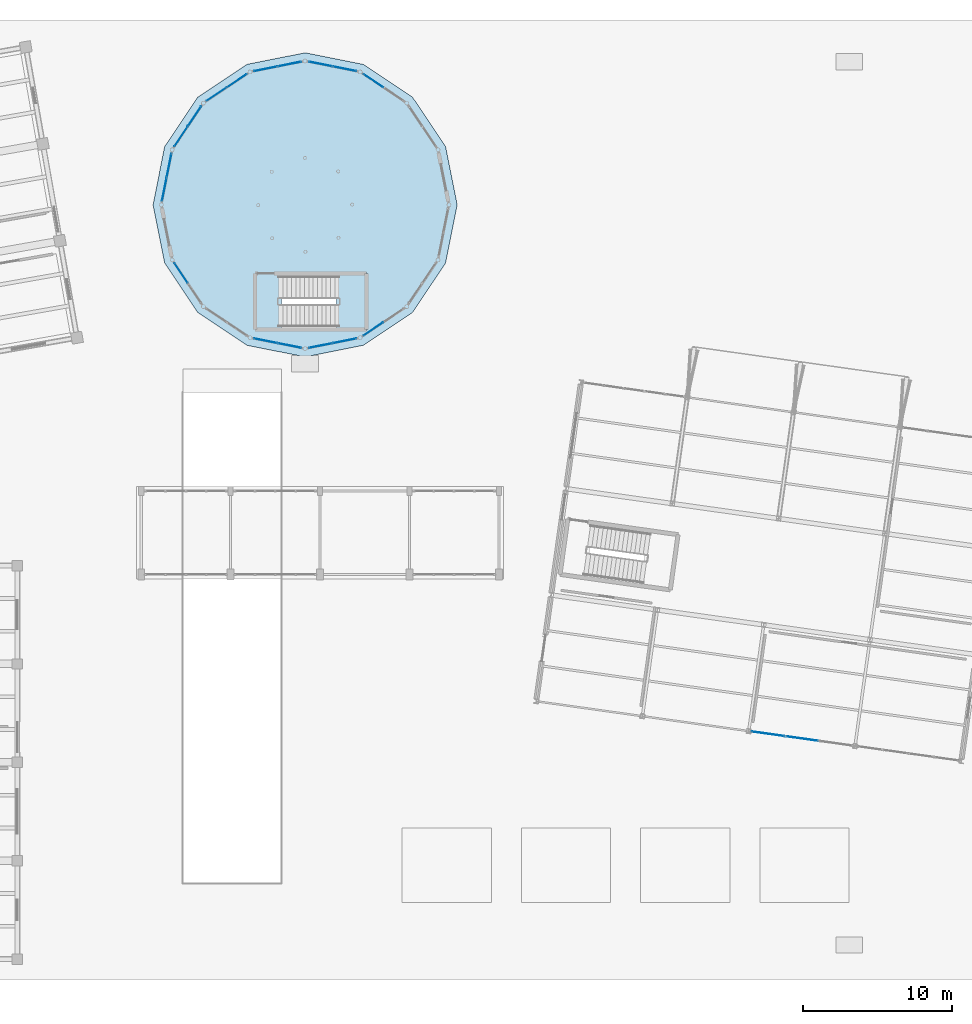
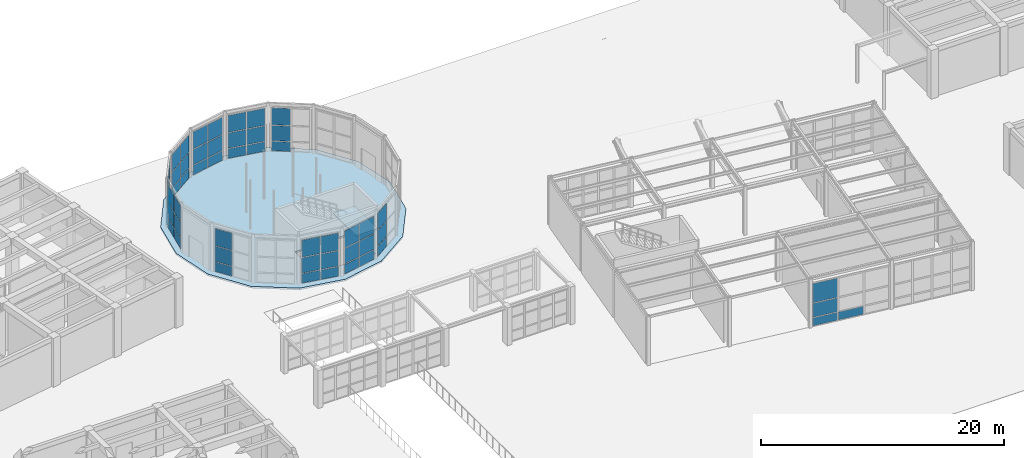
# One storey, part 33 of 57: 55 plates, 2 slabs, 12 elements without a shape of their own.
"""IFC4 building model written with IfcOpenShell, lengths in metres."""

from ifc_helpers import new_model, si_unit, direction, frame, origin, origin_2d, place, context, subcontext, project, spatial, polyline, rectangle, outline, extrude, material, layer, layer_set, type_object, element, aggregate, save


model = new_model("IFC4")

# Units and contexts
model_context = context("Model", 3, precision=1e-05, world=origin(), true_north=direction((0.0, 1.0)))
body_context = subcontext(model_context, "Body", "Model", "MODEL_VIEW")
ifc_project = project(units=[si_unit("LENGTHUNIT", "METRE"), si_unit("AREAUNIT", "SQUARE_METRE"), si_unit("VOLUMEUNIT", "CUBIC_METRE"), si_unit("PLANEANGLEUNIT", "RADIAN"), si_unit("MASSUNIT", "GRAM", prefix="KILO")], contexts=[model_context])

# Site, building, storey
site_placement = place(None, origin())
site = spatial("IfcSite", under=ifc_project, at=site_placement, CompositionType="ELEMENT")
building_placement = place(site_placement, origin())
building = spatial("IfcBuilding", under=site, at=building_placement, Name="Kharisveld Research Institute", CompositionType="ELEMENT")
storey_placement = place(building_placement, origin())
storey = spatial("IfcBuildingStorey", under=building, at=storey_placement, Name="L00", CompositionType="ELEMENT", Elevation=0.0)

# Curtain wall, plates
ifc_material_1 = material(Name="Thermally Broken Aluminium Curtain Wall", Category="aluminium")
ifc_layer_1 = layer(ifc_material_1, 0.159912109375)
ifc_layer_set_1 = layer_set([ifc_layer_1], Name="CW_SYS_06")
curtain_wall_type_1 = type_object("IfcCurtainWallType", Name="CW_SYS_06", PredefinedType="NOTDEFINED", material=ifc_layer_set_1)
curtain_wall_1_placement = place(storey_placement, origin())
curtain_wall_1 = element("IfcCurtainWall", 1, at=curtain_wall_1_placement, inside=storey, type_object=curtain_wall_type_1, Name="CW:V6:L00:CHORD02", PredefinedType="NOTDEFINED")
ifc_material_2 = material(Name="Low-E Double Glazing", Category="glass")
ifc_layer_2 = layer(ifc_material_2, 0.028076171875)
ifc_layer_set_2 = layer_set([ifc_layer_2], Name="CW_PNL_GLZ")
plate_type_1 = type_object("IfcPlateType", Name="CW_PNL_GLZ", PredefinedType="CURTAIN_PANEL", material=ifc_layer_set_2)
plate_1_placement = place(storey_placement, frame((64.078369140625, 59.123779296875, 0.06005859375), z_axis=(0.0, 0.0, 1.0), x_axis=(0.831469694616, -0.555570109828, 0.0)))
plate_1 = element("IfcPlate", 2, at=plate_1_placement, type_object=plate_type_1, Name="CW-06 panel 1.1", PredefinedType="CURTAIN_PANEL", context=body_context, shape_type="SweptSolid", body=[
    extrude(rectangle(XDim=1.570068359375, YDim=0.028076171875, at=origin_2d()), origin(), (0.0, 0.0, 1.0), 0.9599609375),
])
plate_2_placement = place(storey_placement, frame((64.078369140625, 59.123779296875, 1.080078125), z_axis=(0.0, 0.0, 1.0), x_axis=(0.831469694616, -0.555570109828, 0.0)))
plate_2 = element("IfcPlate", 3, at=plate_2_placement, type_object=plate_type_1, Name="CW-06 panel 1.2", PredefinedType="CURTAIN_PANEL", context=body_context, shape_type="SweptSolid", body=[
    extrude(rectangle(XDim=1.570068359375, YDim=0.028076171875, at=origin_2d()), origin(), (0.0, 0.0, 1.0), 1.5400390625),
])
plate_3_placement = place(storey_placement, frame((64.078369140625, 59.123779296875, 2.679931640625), z_axis=(0.0, 0.0, 1.0), x_axis=(0.831469694616, -0.555570109828, 0.0)))
plate_3 = element("IfcPlate", 4, at=plate_3_placement, type_object=plate_type_1, Name="CW-06 panel 1.3", PredefinedType="CURTAIN_PANEL", context=body_context, shape_type="SweptSolid", body=[
    extrude(rectangle(XDim=1.570068359375, YDim=0.028076171875, at=origin_2d()), origin(), (0.0, 0.0, 1.0), 1.7099609375),
])
aggregate(curtain_wall_1, [plate_1, plate_2, plate_3])

ifc_material_3 = material(Name="Thermally Broken Aluminium Curtain Wall", Category="aluminium")
ifc_layer_3 = layer(ifc_material_3, 0.159912109375)
ifc_layer_set_3 = layer_set([ifc_layer_3], Name="CW_SYS_01")
curtain_wall_type_2 = type_object("IfcCurtainWallType", Name="CW_SYS_01", PredefinedType="NOTDEFINED", material=ifc_layer_set_3)
curtain_wall_2_placement = place(storey_placement, origin())
curtain_wall_2 = element("IfcCurtainWall", 5, at=curtain_wall_2_placement, inside=storey, type_object=curtain_wall_type_2, Name="CW:V6:L00:CHORD03", PredefinedType="NOTDEFINED")
plate_4_placement = place(storey_placement, frame((60.544677734375, 60.2421875, 0.06005859375), z_axis=(0.0, 0.0, 1.0), x_axis=(0.980785199106, -0.195090730724, 0.0)))
plate_4 = element("IfcPlate", 6, at=plate_4_placement, type_object=plate_type_1, Name="CW-01 panel 1.1", PredefinedType="CURTAIN_PANEL", context=body_context, shape_type="SweptSolid", body=[
    extrude(rectangle(XDim=1.570068359375, YDim=0.028076171875, at=origin_2d()), origin(), (0.0, 0.0, 1.0), 0.9599609375),
])
plate_5_placement = place(storey_placement, frame((60.544677734375, 60.2421875, 1.080078125), z_axis=(0.0, 0.0, 1.0), x_axis=(0.980785199106, -0.195090730724, 0.0)))
plate_5 = element("IfcPlate", 7, at=plate_5_placement, type_object=plate_type_1, Name="CW-01 panel 1.2", PredefinedType="CURTAIN_PANEL", context=body_context, shape_type="SweptSolid", body=[
    extrude(rectangle(XDim=1.570068359375, YDim=0.028076171875, at=origin_2d()), origin(), (0.0, 0.0, 1.0), 1.5400390625),
])
plate_6_placement = place(storey_placement, frame((60.544677734375, 60.2421875, 2.679931640625), z_axis=(0.0, 0.0, 1.0), x_axis=(0.980785199106, -0.195090730724, 0.0)))
plate_6 = element("IfcPlate", 8, at=plate_6_placement, type_object=plate_type_1, Name="CW-01 panel 1.3", PredefinedType="CURTAIN_PANEL", context=body_context, shape_type="SweptSolid", body=[
    extrude(rectangle(XDim=1.570068359375, YDim=0.028076171875, at=origin_2d()), origin(), (0.0, 0.0, 1.0), 1.7099609375),
])
plate_7_placement = place(storey_placement, frame((62.148193359375, 59.92333984375, 0.06005859375), z_axis=(0.0, 0.0, 1.0), x_axis=(0.980785199106, -0.195090730724, 0.0)))
plate_7 = element("IfcPlate", 9, at=plate_7_placement, type_object=plate_type_1, Name="CW-01 panel 2.1", PredefinedType="CURTAIN_PANEL", context=body_context, shape_type="SweptSolid", body=[
    extrude(rectangle(XDim=1.570068359375, YDim=0.028076171875, at=origin_2d()), origin(), (0.0, 0.0, 1.0), 0.9599609375),
])
plate_8_placement = place(storey_placement, frame((62.148193359375, 59.92333984375, 1.080078125), z_axis=(0.0, 0.0, 1.0), x_axis=(0.980785199106, -0.195090730724, 0.0)))
plate_8 = element("IfcPlate", 10, at=plate_8_placement, type_object=plate_type_1, Name="CW-01 panel 2.2", PredefinedType="CURTAIN_PANEL", context=body_context, shape_type="SweptSolid", body=[
    extrude(rectangle(XDim=1.570068359375, YDim=0.028076171875, at=origin_2d()), origin(), (0.0, 0.0, 1.0), 1.5400390625),
])
plate_9_placement = place(storey_placement, frame((62.148193359375, 59.92333984375, 2.679931640625), z_axis=(0.0, 0.0, 1.0), x_axis=(0.980785199106, -0.195090730724, 0.0)))
plate_9 = element("IfcPlate", 11, at=plate_9_placement, type_object=plate_type_1, Name="CW-01 panel 2.3", PredefinedType="CURTAIN_PANEL", context=body_context, shape_type="SweptSolid", body=[
    extrude(rectangle(XDim=1.570068359375, YDim=0.028076171875, at=origin_2d()), origin(), (0.0, 0.0, 1.0), 1.7099609375),
])
aggregate(curtain_wall_2, [plate_4, plate_5, plate_6, plate_7, plate_8, plate_9])

ifc_material_4 = material(Name="Thermally Broken Aluminium Curtain Wall", Category="aluminium")
ifc_layer_4 = layer(ifc_material_4, 0.159912109375)
ifc_layer_set_4 = layer_set([ifc_layer_4], Name="CW_SYS_02")
curtain_wall_type_3 = type_object("IfcCurtainWallType", Name="CW_SYS_02", PredefinedType="NOTDEFINED", material=ifc_layer_set_4)
curtain_wall_3_placement = place(storey_placement, origin())
curtain_wall_3 = element("IfcCurtainWall", 12, at=curtain_wall_3_placement, inside=storey, type_object=curtain_wall_type_3, Name="CW:V6:L00:CHORD04", PredefinedType="NOTDEFINED")
plate_10_placement = place(storey_placement, frame((56.851806640625, 59.92333984375, 0.06005859375), z_axis=(0.0, 0.0, 1.0), x_axis=(0.980785199106, 0.195090730724, 0.0)))
plate_10 = element("IfcPlate", 13, at=plate_10_placement, type_object=plate_type_1, Name="CW-02 panel 1.1", PredefinedType="CURTAIN_PANEL", context=body_context, shape_type="SweptSolid", body=[
    extrude(rectangle(XDim=1.570068359375, YDim=0.028076171875, at=origin_2d()), origin(), (0.0, 0.0, 1.0), 0.9599609375),
])
plate_11_placement = place(storey_placement, frame((56.851806640625, 59.92333984375, 1.080078125), z_axis=(0.0, 0.0, 1.0), x_axis=(0.980785199106, 0.195090730724, 0.0)))
plate_11 = element("IfcPlate", 14, at=plate_11_placement, type_object=plate_type_1, Name="CW-02 panel 1.2", PredefinedType="CURTAIN_PANEL", context=body_context, shape_type="SweptSolid", body=[
    extrude(rectangle(XDim=1.570068359375, YDim=0.028076171875, at=origin_2d()), origin(), (0.0, 0.0, 1.0), 1.5400390625),
])
plate_12_placement = place(storey_placement, frame((56.851806640625, 59.92333984375, 2.679931640625), z_axis=(0.0, 0.0, 1.0), x_axis=(0.980785199106, 0.195090730724, 0.0)))
plate_12 = element("IfcPlate", 15, at=plate_12_placement, type_object=plate_type_1, Name="CW-02 panel 1.3", PredefinedType="CURTAIN_PANEL", context=body_context, shape_type="SweptSolid", body=[
    extrude(rectangle(XDim=1.570068359375, YDim=0.028076171875, at=origin_2d()), origin(), (0.0, 0.0, 1.0), 1.7099609375),
])
plate_13_placement = place(storey_placement, frame((58.455322265625, 60.2421875, 0.06005859375), z_axis=(0.0, 0.0, 1.0), x_axis=(0.980785199106, 0.195090730724, 0.0)))
plate_13 = element("IfcPlate", 16, at=plate_13_placement, type_object=plate_type_1, Name="CW-02 panel 2.1", PredefinedType="CURTAIN_PANEL", context=body_context, shape_type="SweptSolid", body=[
    extrude(rectangle(XDim=1.570068359375, YDim=0.028076171875, at=origin_2d()), origin(), (0.0, 0.0, 1.0), 0.9599609375),
])
plate_14_placement = place(storey_placement, frame((58.455322265625, 60.2421875, 1.080078125), z_axis=(0.0, 0.0, 1.0), x_axis=(0.980785199106, 0.195090730724, 0.0)))
plate_14 = element("IfcPlate", 17, at=plate_14_placement, type_object=plate_type_1, Name="CW-02 panel 2.2", PredefinedType="CURTAIN_PANEL", context=body_context, shape_type="SweptSolid", body=[
    extrude(rectangle(XDim=1.570068359375, YDim=0.028076171875, at=origin_2d()), origin(), (0.0, 0.0, 1.0), 1.5400390625),
])
plate_15_placement = place(storey_placement, frame((58.455322265625, 60.2421875, 2.679931640625), z_axis=(0.0, 0.0, 1.0), x_axis=(0.980785199106, 0.195090730724, 0.0)))
plate_15 = element("IfcPlate", 18, at=plate_15_placement, type_object=plate_type_1, Name="CW-02 panel 2.3", PredefinedType="CURTAIN_PANEL", context=body_context, shape_type="SweptSolid", body=[
    extrude(rectangle(XDim=1.570068359375, YDim=0.028076171875, at=origin_2d()), origin(), (0.0, 0.0, 1.0), 1.7099609375),
])
aggregate(curtain_wall_3, [plate_10, plate_11, plate_12, plate_13, plate_14, plate_15])

ifc_material_5 = material(Name="Thermally Broken Aluminium Curtain Wall", Category="aluminium")
ifc_layer_5 = layer(ifc_material_5, 0.159912109375)
ifc_layer_set_5 = layer_set([ifc_layer_5], Name="CW_SYS_03")
curtain_wall_type_4 = type_object("IfcCurtainWallType", Name="CW_SYS_03", PredefinedType="NOTDEFINED", material=ifc_layer_set_5)
curtain_wall_4_placement = place(storey_placement, origin())
curtain_wall_4 = element("IfcCurtainWall", 19, at=curtain_wall_4_placement, inside=storey, type_object=curtain_wall_type_4, Name="CW:V6:L00:CHORD05", PredefinedType="NOTDEFINED")
plate_16_placement = place(storey_placement, frame((53.56201171875, 58.21533203125, 0.06005859375), z_axis=(0.0, 0.0, 1.0), x_axis=(0.831469694616, 0.555570109828, 0.0)))
plate_16 = element("IfcPlate", 20, at=plate_16_placement, type_object=plate_type_1, Name="CW-03 panel 1.1", PredefinedType="CURTAIN_PANEL", context=body_context, shape_type="SweptSolid", body=[
    extrude(rectangle(XDim=1.570068359375, YDim=0.028076171875, at=origin_2d()), origin(), (0.0, 0.0, 1.0), 0.9599609375),
])
plate_17_placement = place(storey_placement, frame((53.56201171875, 58.21533203125, 1.080078125), z_axis=(0.0, 0.0, 1.0), x_axis=(0.831469694616, 0.555570109828, 0.0)))
plate_17 = element("IfcPlate", 21, at=plate_17_placement, type_object=plate_type_1, Name="CW-03 panel 1.2", PredefinedType="CURTAIN_PANEL", context=body_context, shape_type="SweptSolid", body=[
    extrude(rectangle(XDim=1.570068359375, YDim=0.028076171875, at=origin_2d()), origin(), (0.0, 0.0, 1.0), 1.5400390625),
])
plate_18_placement = place(storey_placement, frame((53.56201171875, 58.21533203125, 2.679931640625), z_axis=(0.0, 0.0, 1.0), x_axis=(0.831469694616, 0.555570109828, 0.0)))
plate_18 = element("IfcPlate", 22, at=plate_18_placement, type_object=plate_type_1, Name="CW-03 panel 1.3", PredefinedType="CURTAIN_PANEL", context=body_context, shape_type="SweptSolid", body=[
    extrude(rectangle(XDim=1.570068359375, YDim=0.028076171875, at=origin_2d()), origin(), (0.0, 0.0, 1.0), 1.7099609375),
])
plate_19_placement = place(storey_placement, frame((54.921630859375, 59.123779296875, 0.06005859375), z_axis=(0.0, 0.0, 1.0), x_axis=(0.831469694616, 0.555570109828, 0.0)))
plate_19 = element("IfcPlate", 23, at=plate_19_placement, type_object=plate_type_1, Name="CW-03 panel 2.1", PredefinedType="CURTAIN_PANEL", context=body_context, shape_type="SweptSolid", body=[
    extrude(rectangle(XDim=1.570068359375, YDim=0.028076171875, at=origin_2d()), origin(), (0.0, 0.0, 1.0), 0.9599609375),
])
plate_20_placement = place(storey_placement, frame((54.921630859375, 59.123779296875, 1.080078125), z_axis=(0.0, 0.0, 1.0), x_axis=(0.831469694616, 0.555570109828, 0.0)))
plate_20 = element("IfcPlate", 24, at=plate_20_placement, type_object=plate_type_1, Name="CW-03 panel 2.2", PredefinedType="CURTAIN_PANEL", context=body_context, shape_type="SweptSolid", body=[
    extrude(rectangle(XDim=1.570068359375, YDim=0.028076171875, at=origin_2d()), origin(), (0.0, 0.0, 1.0), 1.5400390625),
])
plate_21_placement = place(storey_placement, frame((54.921630859375, 59.123779296875, 2.679931640625), z_axis=(0.0, 0.0, 1.0), x_axis=(0.831469694616, 0.555570109828, 0.0)))
plate_21 = element("IfcPlate", 25, at=plate_21_placement, type_object=plate_type_1, Name="CW-03 panel 2.3", PredefinedType="CURTAIN_PANEL", context=body_context, shape_type="SweptSolid", body=[
    extrude(rectangle(XDim=1.570068359375, YDim=0.028076171875, at=origin_2d()), origin(), (0.0, 0.0, 1.0), 1.7099609375),
])
aggregate(curtain_wall_4, [plate_16, plate_17, plate_18, plate_19, plate_20, plate_21])

ifc_material_6 = material(Name="Thermally Broken Aluminium Curtain Wall", Category="aluminium")
ifc_layer_6 = layer(ifc_material_6, 0.159912109375)
ifc_layer_set_6 = layer_set([ifc_layer_6], Name="CW_SYS_04")
curtain_wall_type_5 = type_object("IfcCurtainWallType", Name="CW_SYS_04", PredefinedType="NOTDEFINED", material=ifc_layer_set_6)
curtain_wall_5_placement = place(storey_placement, origin())
curtain_wall_5 = element("IfcCurtainWall", 26, at=curtain_wall_5_placement, inside=storey, type_object=curtain_wall_type_5, Name="CW:V6:L00:CHORD06", PredefinedType="NOTDEFINED")
plate_22_placement = place(storey_placement, frame((51.17626953125, 55.37841796875, 0.06005859375), z_axis=(0.0, 0.0, 1.0), x_axis=(0.555570109828, 0.831469694616, 0.0)))
plate_22 = element("IfcPlate", 27, at=plate_22_placement, type_object=plate_type_1, Name="CW-04 panel 1.1", PredefinedType="CURTAIN_PANEL", context=body_context, shape_type="SweptSolid", body=[
    extrude(rectangle(XDim=1.570068359375, YDim=0.028076171875, at=origin_2d()), origin(), (0.0, 0.0, 1.0), 0.9599609375),
])
plate_23_placement = place(storey_placement, frame((51.17626953125, 55.37841796875, 1.080078125), z_axis=(0.0, 0.0, 1.0), x_axis=(0.555570109828, 0.831469694616, 0.0)))
plate_23 = element("IfcPlate", 28, at=plate_23_placement, type_object=plate_type_1, Name="CW-04 panel 1.2", PredefinedType="CURTAIN_PANEL", context=body_context, shape_type="SweptSolid", body=[
    extrude(rectangle(XDim=1.570068359375, YDim=0.028076171875, at=origin_2d()), origin(), (0.0, 0.0, 1.0), 1.5400390625),
])
plate_24_placement = place(storey_placement, frame((51.17626953125, 55.37841796875, 2.679931640625), z_axis=(0.0, 0.0, 1.0), x_axis=(0.555570109828, 0.831469694616, 0.0)))
plate_24 = element("IfcPlate", 29, at=plate_24_placement, type_object=plate_type_1, Name="CW-04 panel 1.3", PredefinedType="CURTAIN_PANEL", context=body_context, shape_type="SweptSolid", body=[
    extrude(rectangle(XDim=1.570068359375, YDim=0.028076171875, at=origin_2d()), origin(), (0.0, 0.0, 1.0), 1.7099609375),
])
plate_25_placement = place(storey_placement, frame((52.084716796875, 56.738037109375, 0.06005859375), z_axis=(0.0, 0.0, 1.0), x_axis=(0.555570109828, 0.831469694616, 0.0)))
plate_25 = element("IfcPlate", 30, at=plate_25_placement, type_object=plate_type_1, Name="CW-04 panel 2.1", PredefinedType="CURTAIN_PANEL", context=body_context, shape_type="SweptSolid", body=[
    extrude(rectangle(XDim=1.570068359375, YDim=0.028076171875, at=origin_2d()), origin(), (0.0, 0.0, 1.0), 0.9599609375),
])
plate_26_placement = place(storey_placement, frame((52.084716796875, 56.738037109375, 1.080078125), z_axis=(0.0, 0.0, 1.0), x_axis=(0.555570109828, 0.831469694616, 0.0)))
plate_26 = element("IfcPlate", 31, at=plate_26_placement, type_object=plate_type_1, Name="CW-04 panel 2.2", PredefinedType="CURTAIN_PANEL", context=body_context, shape_type="SweptSolid", body=[
    extrude(rectangle(XDim=1.570068359375, YDim=0.028076171875, at=origin_2d()), origin(), (0.0, 0.0, 1.0), 1.5400390625),
])
plate_27_placement = place(storey_placement, frame((52.084716796875, 56.738037109375, 2.679931640625), z_axis=(0.0, 0.0, 1.0), x_axis=(0.555570109828, 0.831469694616, 0.0)))
plate_27 = element("IfcPlate", 32, at=plate_27_placement, type_object=plate_type_1, Name="CW-04 panel 2.3", PredefinedType="CURTAIN_PANEL", context=body_context, shape_type="SweptSolid", body=[
    extrude(rectangle(XDim=1.570068359375, YDim=0.028076171875, at=origin_2d()), origin(), (0.0, 0.0, 1.0), 1.7099609375),
])
aggregate(curtain_wall_5, [plate_22, plate_23, plate_24, plate_25, plate_26, plate_27])

ifc_material_7 = material(Name="Thermally Broken Aluminium Curtain Wall", Category="aluminium")
ifc_layer_7 = layer(ifc_material_7, 0.159912109375)
ifc_layer_set_7 = layer_set([ifc_layer_7], Name="CW_SYS_05")
curtain_wall_type_6 = type_object("IfcCurtainWallType", Name="CW_SYS_05", PredefinedType="NOTDEFINED", material=ifc_layer_set_7)
curtain_wall_6_placement = place(storey_placement, origin())
curtain_wall_6 = element("IfcCurtainWall", 33, at=curtain_wall_6_placement, inside=storey, type_object=curtain_wall_type_6, Name="CW:V6:L00:CHORD07", PredefinedType="NOTDEFINED")
plate_28_placement = place(storey_placement, frame((50.057861328125, 51.844482421875, 0.06005859375), z_axis=(0.0, 0.0, 1.0), x_axis=(0.195090730724, 0.980785199106, 0.0)))
plate_28 = element("IfcPlate", 34, at=plate_28_placement, type_object=plate_type_1, Name="CW-05 panel 1.1", PredefinedType="CURTAIN_PANEL", context=body_context, shape_type="SweptSolid", body=[
    extrude(rectangle(XDim=1.570068359375, YDim=0.028076171875, at=origin_2d()), origin(), (0.0, 0.0, 1.0), 0.9599609375),
])
plate_29_placement = place(storey_placement, frame((50.057861328125, 51.844482421875, 1.080078125), z_axis=(0.0, 0.0, 1.0), x_axis=(0.195090730724, 0.980785199106, 0.0)))
plate_29 = element("IfcPlate", 35, at=plate_29_placement, type_object=plate_type_1, Name="CW-05 panel 1.2", PredefinedType="CURTAIN_PANEL", context=body_context, shape_type="SweptSolid", body=[
    extrude(rectangle(XDim=1.570068359375, YDim=0.028076171875, at=origin_2d()), origin(), (0.0, 0.0, 1.0), 1.5400390625),
])
plate_30_placement = place(storey_placement, frame((50.057861328125, 51.844482421875, 2.679931640625), z_axis=(0.0, 0.0, 1.0), x_axis=(0.195090730724, 0.980785199106, 0.0)))
plate_30 = element("IfcPlate", 36, at=plate_30_placement, type_object=plate_type_1, Name="CW-05 panel 1.3", PredefinedType="CURTAIN_PANEL", context=body_context, shape_type="SweptSolid", body=[
    extrude(rectangle(XDim=1.570068359375, YDim=0.028076171875, at=origin_2d()), origin(), (0.0, 0.0, 1.0), 1.7099609375),
])
plate_31_placement = place(storey_placement, frame((50.376708984375, 53.4482421875, 0.06005859375), z_axis=(0.0, 0.0, 1.0), x_axis=(0.195090730724, 0.980785199106, 0.0)))
plate_31 = element("IfcPlate", 37, at=plate_31_placement, type_object=plate_type_1, Name="CW-05 panel 2.1", PredefinedType="CURTAIN_PANEL", context=body_context, shape_type="SweptSolid", body=[
    extrude(rectangle(XDim=1.570068359375, YDim=0.028076171875, at=origin_2d()), origin(), (0.0, 0.0, 1.0), 0.9599609375),
])
plate_32_placement = place(storey_placement, frame((50.376708984375, 53.4482421875, 1.080078125), z_axis=(0.0, 0.0, 1.0), x_axis=(0.195090730724, 0.980785199106, 0.0)))
plate_32 = element("IfcPlate", 38, at=plate_32_placement, type_object=plate_type_1, Name="CW-05 panel 2.2", PredefinedType="CURTAIN_PANEL", context=body_context, shape_type="SweptSolid", body=[
    extrude(rectangle(XDim=1.570068359375, YDim=0.028076171875, at=origin_2d()), origin(), (0.0, 0.0, 1.0), 1.5400390625),
])
plate_33_placement = place(storey_placement, frame((50.376708984375, 53.4482421875, 2.679931640625), z_axis=(0.0, 0.0, 1.0), x_axis=(0.195090730724, 0.980785199106, 0.0)))
plate_33 = element("IfcPlate", 39, at=plate_33_placement, type_object=plate_type_1, Name="CW-05 panel 2.3", PredefinedType="CURTAIN_PANEL", context=body_context, shape_type="SweptSolid", body=[
    extrude(rectangle(XDim=1.570068359375, YDim=0.028076171875, at=origin_2d()), origin(), (0.0, 0.0, 1.0), 1.7099609375),
])
aggregate(curtain_wall_6, [plate_28, plate_29, plate_30, plate_31, plate_32, plate_33])

curtain_wall_7_placement = place(storey_placement, origin())
curtain_wall_7 = element("IfcCurtainWall", 40, at=curtain_wall_7_placement, inside=storey, type_object=curtain_wall_type_1, Name="CW:V6:L00:CHORD09", PredefinedType="NOTDEFINED")
plate_34_placement = place(storey_placement, frame((51.17626953125, 46.221435546875, 0.06005859375), z_axis=(0.0, 0.0, 1.0), x_axis=(-0.555570109828, 0.831469694616, 0.0)))
plate_34 = element("IfcPlate", 41, at=plate_34_placement, type_object=plate_type_1, Name="CW-06 panel 2.1", PredefinedType="CURTAIN_PANEL", context=body_context, shape_type="SweptSolid", body=[
    extrude(rectangle(XDim=1.570068359375, YDim=0.028076171875, at=origin_2d()), origin(), (0.0, 0.0, 1.0), 0.9599609375),
])
plate_35_placement = place(storey_placement, frame((51.17626953125, 46.221435546875, 1.080078125), z_axis=(0.0, 0.0, 1.0), x_axis=(-0.555570109828, 0.831469694616, 0.0)))
plate_35 = element("IfcPlate", 42, at=plate_35_placement, type_object=plate_type_1, Name="CW-06 panel 2.2", PredefinedType="CURTAIN_PANEL", context=body_context, shape_type="SweptSolid", body=[
    extrude(rectangle(XDim=1.570068359375, YDim=0.028076171875, at=origin_2d()), origin(), (0.0, 0.0, 1.0), 1.5400390625),
])
plate_36_placement = place(storey_placement, frame((51.17626953125, 46.221435546875, 2.679931640625), z_axis=(0.0, 0.0, 1.0), x_axis=(-0.555570109828, 0.831469694616, 0.0)))
plate_36 = element("IfcPlate", 43, at=plate_36_placement, type_object=plate_type_1, Name="CW-06 panel 2.3", PredefinedType="CURTAIN_PANEL", context=body_context, shape_type="SweptSolid", body=[
    extrude(rectangle(XDim=1.570068359375, YDim=0.028076171875, at=origin_2d()), origin(), (0.0, 0.0, 1.0), 1.7099609375),
])
aggregate(curtain_wall_7, [plate_34, plate_35, plate_36])

curtain_wall_8_placement = place(storey_placement, origin())
curtain_wall_8 = element("IfcCurtainWall", 44, at=curtain_wall_8_placement, inside=storey, type_object=curtain_wall_type_3, Name="CW:V6:L00:CHORD11", PredefinedType="NOTDEFINED")
plate_37_placement = place(storey_placement, frame((58.455322265625, 41.357666015625, 0.06005859375), z_axis=(0.0, 0.0, 1.0), x_axis=(-0.980785199106, 0.195090730724, 0.0)))
plate_37 = element("IfcPlate", 45, at=plate_37_placement, type_object=plate_type_1, Name="CW-02 panel 1.1", PredefinedType="CURTAIN_PANEL", context=body_context, shape_type="SweptSolid", body=[
    extrude(rectangle(XDim=1.570068359375, YDim=0.028076171875, at=origin_2d()), origin(), (0.0, 0.0, 1.0), 0.9599609375),
])
plate_38_placement = place(storey_placement, frame((58.455322265625, 41.357666015625, 1.080078125), z_axis=(0.0, 0.0, 1.0), x_axis=(-0.980785199106, 0.195090730724, 0.0)))
plate_38 = element("IfcPlate", 46, at=plate_38_placement, type_object=plate_type_1, Name="CW-02 panel 1.2", PredefinedType="CURTAIN_PANEL", context=body_context, shape_type="SweptSolid", body=[
    extrude(rectangle(XDim=1.570068359375, YDim=0.028076171875, at=origin_2d()), origin(), (0.0, 0.0, 1.0), 1.5400390625),
])
plate_39_placement = place(storey_placement, frame((58.455322265625, 41.357666015625, 2.679931640625), z_axis=(0.0, 0.0, 1.0), x_axis=(-0.980785199106, 0.195090730724, 0.0)))
plate_39 = element("IfcPlate", 47, at=plate_39_placement, type_object=plate_type_1, Name="CW-02 panel 1.3", PredefinedType="CURTAIN_PANEL", context=body_context, shape_type="SweptSolid", body=[
    extrude(rectangle(XDim=1.570068359375, YDim=0.028076171875, at=origin_2d()), origin(), (0.0, 0.0, 1.0), 1.7099609375),
])
plate_40_placement = place(storey_placement, frame((56.851806640625, 41.6767578125, 0.06005859375), z_axis=(0.0, 0.0, 1.0), x_axis=(-0.980785199106, 0.195090730724, 0.0)))
plate_40 = element("IfcPlate", 48, at=plate_40_placement, type_object=plate_type_1, Name="CW-02 panel 2.1", PredefinedType="CURTAIN_PANEL", context=body_context, shape_type="SweptSolid", body=[
    extrude(rectangle(XDim=1.570068359375, YDim=0.028076171875, at=origin_2d()), origin(), (0.0, 0.0, 1.0), 0.9599609375),
])
plate_41_placement = place(storey_placement, frame((56.851806640625, 41.6767578125, 1.080078125), z_axis=(0.0, 0.0, 1.0), x_axis=(-0.980785199106, 0.195090730724, 0.0)))
plate_41 = element("IfcPlate", 49, at=plate_41_placement, type_object=plate_type_1, Name="CW-02 panel 2.2", PredefinedType="CURTAIN_PANEL", context=body_context, shape_type="SweptSolid", body=[
    extrude(rectangle(XDim=1.570068359375, YDim=0.028076171875, at=origin_2d()), origin(), (0.0, 0.0, 1.0), 1.5400390625),
])
plate_42_placement = place(storey_placement, frame((56.851806640625, 41.6767578125, 2.679931640625), z_axis=(0.0, 0.0, 1.0), x_axis=(-0.980785199106, 0.195090730724, 0.0)))
plate_42 = element("IfcPlate", 50, at=plate_42_placement, type_object=plate_type_1, Name="CW-02 panel 2.3", PredefinedType="CURTAIN_PANEL", context=body_context, shape_type="SweptSolid", body=[
    extrude(rectangle(XDim=1.570068359375, YDim=0.028076171875, at=origin_2d()), origin(), (0.0, 0.0, 1.0), 1.7099609375),
])
aggregate(curtain_wall_8, [plate_37, plate_38, plate_39, plate_40, plate_41, plate_42])

curtain_wall_9_placement = place(storey_placement, origin())
curtain_wall_9 = element("IfcCurtainWall", 51, at=curtain_wall_9_placement, inside=storey, type_object=curtain_wall_type_4, Name="CW:V6:L00:CHORD12", PredefinedType="NOTDEFINED")
plate_43_placement = place(storey_placement, frame((62.148193359375, 41.6767578125, 0.06005859375), z_axis=(0.0, 0.0, 1.0), x_axis=(-0.980785199106, -0.195090730724, 0.0)))
plate_43 = element("IfcPlate", 52, at=plate_43_placement, type_object=plate_type_1, Name="CW-03 panel 1.1", PredefinedType="CURTAIN_PANEL", context=body_context, shape_type="SweptSolid", body=[
    extrude(rectangle(XDim=1.570068359375, YDim=0.028076171875, at=origin_2d()), origin(), (0.0, 0.0, 1.0), 0.9599609375),
])
plate_44_placement = place(storey_placement, frame((62.148193359375, 41.6767578125, 1.080078125), z_axis=(0.0, 0.0, 1.0), x_axis=(-0.980785199106, -0.195090730724, 0.0)))
plate_44 = element("IfcPlate", 53, at=plate_44_placement, type_object=plate_type_1, Name="CW-03 panel 1.2", PredefinedType="CURTAIN_PANEL", context=body_context, shape_type="SweptSolid", body=[
    extrude(rectangle(XDim=1.570068359375, YDim=0.028076171875, at=origin_2d()), origin(), (0.0, 0.0, 1.0), 1.5400390625),
])
plate_45_placement = place(storey_placement, frame((62.148193359375, 41.6767578125, 2.679931640625), z_axis=(0.0, 0.0, 1.0), x_axis=(-0.980785199106, -0.195090730724, 0.0)))
plate_45 = element("IfcPlate", 54, at=plate_45_placement, type_object=plate_type_1, Name="CW-03 panel 1.3", PredefinedType="CURTAIN_PANEL", context=body_context, shape_type="SweptSolid", body=[
    extrude(rectangle(XDim=1.570068359375, YDim=0.028076171875, at=origin_2d()), origin(), (0.0, 0.0, 1.0), 1.7099609375),
])
plate_46_placement = place(storey_placement, frame((60.544677734375, 41.357666015625, 0.06005859375), z_axis=(0.0, 0.0, 1.0), x_axis=(-0.980785199106, -0.195090730724, 0.0)))
plate_46 = element("IfcPlate", 55, at=plate_46_placement, type_object=plate_type_1, Name="CW-03 panel 2.1", PredefinedType="CURTAIN_PANEL", context=body_context, shape_type="SweptSolid", body=[
    extrude(rectangle(XDim=1.570068359375, YDim=0.028076171875, at=origin_2d()), origin(), (0.0, 0.0, 1.0), 0.9599609375),
])
plate_47_placement = place(storey_placement, frame((60.544677734375, 41.357666015625, 1.080078125), z_axis=(0.0, 0.0, 1.0), x_axis=(-0.980785199106, -0.195090730724, 0.0)))
plate_47 = element("IfcPlate", 56, at=plate_47_placement, type_object=plate_type_1, Name="CW-03 panel 2.2", PredefinedType="CURTAIN_PANEL", context=body_context, shape_type="SweptSolid", body=[
    extrude(rectangle(XDim=1.570068359375, YDim=0.028076171875, at=origin_2d()), origin(), (0.0, 0.0, 1.0), 1.5400390625),
])
plate_48_placement = place(storey_placement, frame((60.544677734375, 41.357666015625, 2.679931640625), z_axis=(0.0, 0.0, 1.0), x_axis=(-0.980785199106, -0.195090730724, 0.0)))
plate_48 = element("IfcPlate", 57, at=plate_48_placement, type_object=plate_type_1, Name="CW-03 panel 2.3", PredefinedType="CURTAIN_PANEL", context=body_context, shape_type="SweptSolid", body=[
    extrude(rectangle(XDim=1.570068359375, YDim=0.028076171875, at=origin_2d()), origin(), (0.0, 0.0, 1.0), 1.7099609375),
])
aggregate(curtain_wall_9, [plate_43, plate_44, plate_45, plate_46, plate_47, plate_48])

curtain_wall_10_placement = place(storey_placement, origin())
curtain_wall_10 = element("IfcCurtainWall", 58, at=curtain_wall_10_placement, inside=storey, type_object=curtain_wall_type_5, Name="CW:V6:L00:CHORD13", PredefinedType="NOTDEFINED")
plate_49_placement = place(storey_placement, frame((64.078369140625, 42.476318359375, 0.06005859375), z_axis=(0.0, 0.0, 1.0), x_axis=(-0.831469694616, -0.555570109828, 0.0)))
plate_49 = element("IfcPlate", 59, at=plate_49_placement, type_object=plate_type_1, Name="CW-04 panel 2.1", PredefinedType="CURTAIN_PANEL", context=body_context, shape_type="SweptSolid", body=[
    extrude(rectangle(XDim=1.570068359375, YDim=0.028076171875, at=origin_2d()), origin(), (0.0, 0.0, 1.0), 0.9599609375),
])
plate_50_placement = place(storey_placement, frame((64.078369140625, 42.476318359375, 1.080078125), z_axis=(0.0, 0.0, 1.0), x_axis=(-0.831469694616, -0.555570109828, 0.0)))
plate_50 = element("IfcPlate", 60, at=plate_50_placement, type_object=plate_type_1, Name="CW-04 panel 2.2", PredefinedType="CURTAIN_PANEL", context=body_context, shape_type="SweptSolid", body=[
    extrude(rectangle(XDim=1.570068359375, YDim=0.028076171875, at=origin_2d()), origin(), (0.0, 0.0, 1.0), 1.5400390625),
])
plate_51_placement = place(storey_placement, frame((64.078369140625, 42.476318359375, 2.679931640625), z_axis=(0.0, 0.0, 1.0), x_axis=(-0.831469694616, -0.555570109828, 0.0)))
plate_51 = element("IfcPlate", 61, at=plate_51_placement, type_object=plate_type_1, Name="CW-04 panel 2.3", PredefinedType="CURTAIN_PANEL", context=body_context, shape_type="SweptSolid", body=[
    extrude(rectangle(XDim=1.570068359375, YDim=0.028076171875, at=origin_2d()), origin(), (0.0, 0.0, 1.0), 1.7099609375),
])
aggregate(curtain_wall_10, [plate_49, plate_50, plate_51])

curtain_wall_11_placement = place(storey_placement, origin())
curtain_wall_11 = element("IfcCurtainWall", 62, at=curtain_wall_11_placement, inside=storey, type_object=curtain_wall_type_1, Name="CW:V4:L00:S3", PredefinedType="NOTDEFINED")
ifc_material_8 = material(Name="Insulated Spandrel Glazing", Category="glass")
ifc_layer_8 = layer(ifc_material_8, 0.035888671875)
ifc_layer_set_8 = layer_set([ifc_layer_8], Name="CW_PNL_SPD")
plate_type_2 = type_object("IfcPlateType", Name="CW_PNL_SPD", PredefinedType="CURTAIN_PANEL", material=ifc_layer_set_8)
plate_52_placement = place(storey_placement, frame((92.82470703125, 14.994873046875, 0.06494140625), z_axis=(0.0, 0.0, 1.0), x_axis=(-0.990268070291, 0.139173089933, 0.0)))
plate_52 = element("IfcPlate", 63, at=plate_52_placement, type_object=plate_type_2, Name="CW-06 panel 2.1", PredefinedType="CURTAIN_PANEL", context=body_context, shape_type="SweptSolid", body=[
    extrude(rectangle(XDim=2.2333984375, YDim=0.035888671875, at=origin_2d()), origin(), (0.0, 0.0, 1.0), 0.802490234375),
])
plate_53_placement = place(storey_placement, frame((90.561279296875, 15.31298828125, 0.06494140625), z_axis=(0.0, 0.0, 1.0), x_axis=(-0.990268070291, 0.139173089933, 0.0)))
plate_53 = element("IfcPlate", 64, at=plate_53_placement, type_object=plate_type_2, Name="CW-06 panel 3.1", PredefinedType="CURTAIN_PANEL", context=body_context, shape_type="SweptSolid", body=[
    extrude(rectangle(XDim=2.1982421875, YDim=0.035888671875, at=origin_2d()), origin(), (0.0, 0.0, 1.0), 0.802490234375),
])
plate_54_placement = place(storey_placement, frame((90.561279296875, 15.31298828125, 0.9326171875), z_axis=(0.0, 0.0, 1.0), x_axis=(-0.990268070291, 0.139173089933, 0.0)))
plate_54 = element("IfcPlate", 65, at=plate_54_placement, type_object=plate_type_2, Name="CW-06 panel 3.2", PredefinedType="CURTAIN_PANEL", context=body_context, shape_type="SweptSolid", body=[
    extrude(rectangle(XDim=2.1982421875, YDim=0.035888671875, at=origin_2d()), origin(), (0.0, 0.0, 1.0), 1.385009765625),
])
plate_55_placement = place(storey_placement, frame((90.561279296875, 15.31298828125, 2.38232421875), z_axis=(0.0, 0.0, 1.0), x_axis=(-0.990268070291, 0.139173089933, 0.0)))
plate_55 = element("IfcPlate", 66, at=plate_55_placement, type_object=plate_type_2, Name="CW-06 panel 3.3", PredefinedType="CURTAIN_PANEL", context=body_context, shape_type="SweptSolid", body=[
    extrude(rectangle(XDim=2.1982421875, YDim=0.035888671875, at=origin_2d()), origin(), (0.0, 0.0, 1.0), 1.9326171875),
])
aggregate(curtain_wall_11, [plate_52, plate_53, plate_54, plate_55])

# Slab
ifc_material_9 = material(Name="Concrete C40/50", Category="concrete")
ifc_layer_9 = layer(ifc_material_9, 0.179931640625)
ifc_layer_set_9 = layer_set([ifc_layer_9], Name="SL_FLR_180")
slab_type_1 = type_object("IfcSlabType", Name="SL_FLR_180", PredefinedType="FLOOR", material=ifc_layer_set_9)
slab_1_placement = place(storey_placement, frame((0.0, 0.0, -0.179931640625)))
element("IfcSlab", 67, at=slab_1_placement, inside=storey, type_object=slab_type_1, Name="SLAB:V6:L00:MAIN", PredefinedType="FLOOR", context=body_context, shape_type="SweptSolid", body=[
    extrude(outline(polyline([(69.699951171875, 50.800048828125), (68.923583984375, 54.703369140625), (66.71240234375, 58.012451171875), (63.4033203125, 60.2236328125), (59.5, 61.0), (55.5966796875, 60.2236328125), (52.28759765625, 58.012451171875), (50.076416015625, 54.703369140625), (49.300048828125, 50.800048828125), (50.076416015625, 46.896728515625), (52.28759765625, 43.58740234375), (55.5966796875, 41.37646484375), (59.5, 40.60009765625), (63.4033203125, 41.37646484375), (66.71240234375, 43.58740234375), (68.923583984375, 46.896728515625), (69.699951171875, 50.800048828125)]), holes=[polyline([(57.89990234375, 42.550048828125), (63.5, 42.550048828125), (63.5, 46.090087890625), (57.89990234375, 46.090087890625), (57.89990234375, 42.550048828125)])]), origin(), (0.0, 0.0, 1.0), 0.179931640625),
])

# Stair, slab
ifc_material_10 = material(Name="Concrete C40/50", Category="concrete")
stair_type = type_object("IfcStairType", Name="ST_FEAT_154", PredefinedType="TWO_STRAIGHT_RUN_STAIR", material=ifc_material_10)
stair_placement = place(storey_placement, origin())
stair = element("IfcStair", 68, at=stair_placement, inside=storey, type_object=stair_type, Name="STR:ST7:L00", PredefinedType="TWO_STRAIGHT_RUN_STAIR")
ifc_material_11 = material(Name="Concrete C40/50", Category="concrete")
ifc_layer_10 = layer(ifc_material_11, 0.179931640625)
ifc_layer_set_10 = layer_set([ifc_layer_10], Name="SL_LND_180")
slab_type_2 = type_object("IfcSlabType", Name="SL_LND_180", PredefinedType="LANDING", material=ifc_layer_set_10)
slab_2_placement = place(storey_placement, frame((0.0, 0.0, 2.3701171875)))
slab_2 = element("IfcSlab", 69, at=slab_2_placement, type_object=slab_type_2, Name="ST-07 landing 1", PredefinedType="LANDING", context=body_context, shape_type="SweptSolid", body=[
    extrude(outline(polyline([(61.60009765625, 42.419921875), (63.64990234375, 42.419921875), (63.64990234375, 46.219970703125), (61.60009765625, 46.219970703125), (61.60009765625, 42.419921875)])), origin(), (0.0, 0.0, 1.0), 0.179931640625),
])
aggregate(stair, [slab_2])

save(model, "model.ifc")
